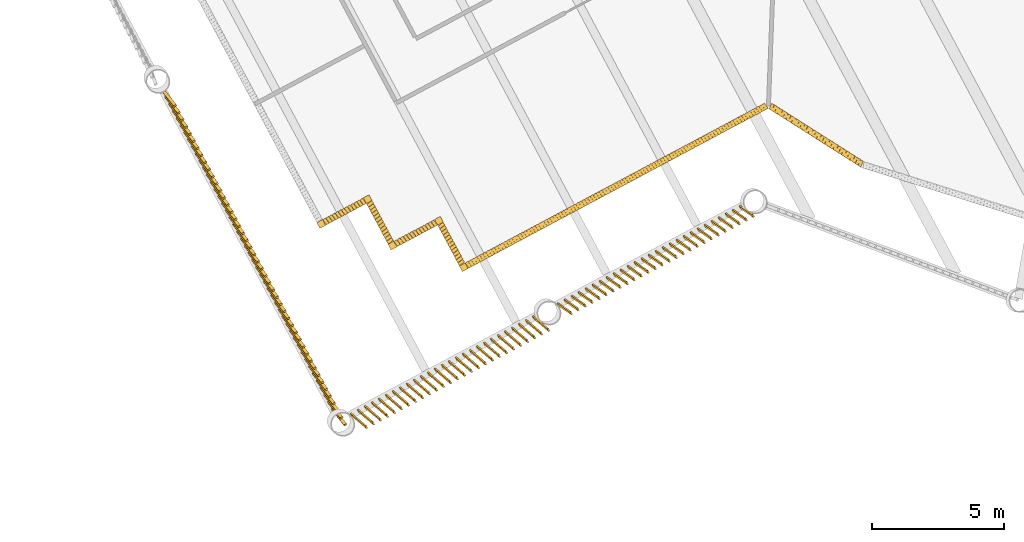
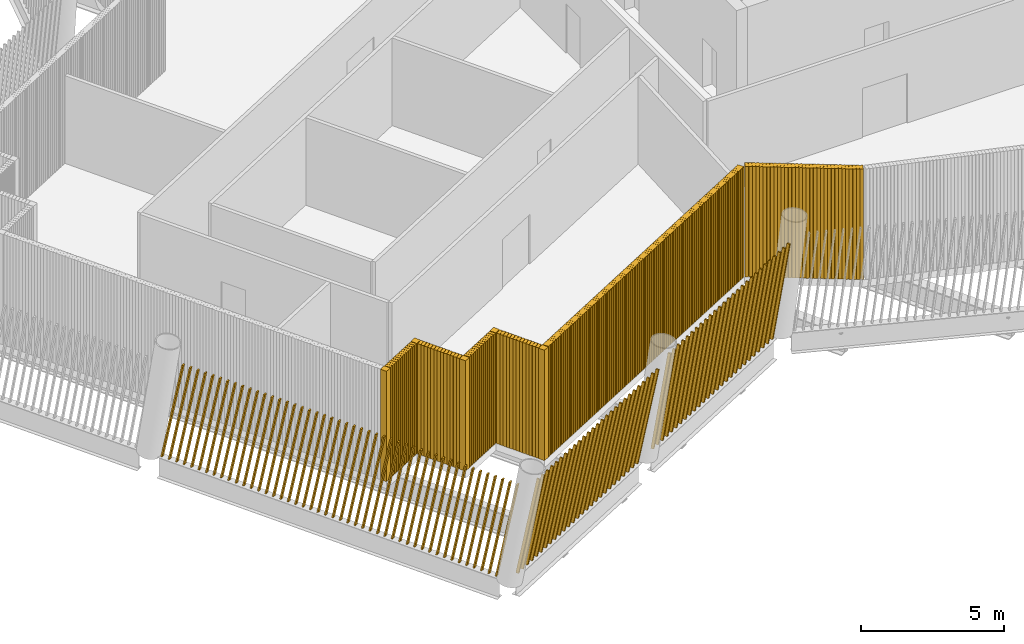
# One storey, part 9 of 21: 14 shading devices.
"""IFC4 building model written with IfcOpenShell, lengths in metres."""

from ifc_helpers import new_model, si_unit, direction, frame, frame_2d, origin, origin_2d, place, context, subcontext, project, spatial, rectangle, composite_profile, extrude, material, type_object, element, save


model = new_model("IFC4")

# Units and contexts
model_context = context("Model", 3, precision=1e-05, world=origin(), true_north=direction((0.0, 1.0)))
body_context = subcontext(model_context, "Body", "Model", "MODEL_VIEW")
ifc_project = project(units=[si_unit("LENGTHUNIT", "METRE"), si_unit("AREAUNIT", "SQUARE_METRE"), si_unit("VOLUMEUNIT", "CUBIC_METRE"), si_unit("PLANEANGLEUNIT", "RADIAN"), si_unit("MASSUNIT", "GRAM", prefix="KILO")], contexts=[model_context])

# Site, building, storey
site_placement = place(None, origin())
site = spatial("IfcSite", under=ifc_project, at=site_placement, CompositionType="ELEMENT")
building_placement = place(site_placement, origin())
building = spatial("IfcBuilding", under=site, at=building_placement, Name="Tarsis Ring Headquarters", CompositionType="ELEMENT")
storey_placement = place(building_placement, frame((0.0, 0.0, 398.60009765625)))
storey = spatial("IfcBuildingStorey", under=building, at=storey_placement, Name="L94", CompositionType="ELEMENT", Elevation=398.60009765625)

# Shading devices
ifc_material_1 = material(Name="Aluminium louvre", Category="aluminium")
shading_device_type_1 = type_object("IfcShadingDeviceType", Name="Plant louvre fin", PredefinedType="USERDEFINED", material=ifc_material_1)
shading_device_1_placement = place(storey_placement, frame((-25.952392578125, -27.304931640625, 0.0), z_axis=(0.0, 0.0, 1.0), x_axis=(0.882295150107, 0.470706040167, 0.0)))
element("IfcShadingDevice", 1, at=shading_device_1_placement, inside=storey, type_object=shading_device_type_1, Name="Louvre L94-01", ObjectType="Louvre", PredefinedType="USERDEFINED", context=body_context, shape_type="SweptSolid", body=[
    extrude(composite_profile([rectangle(XDim=0.1201171875, YDim=0.239990234375, at=frame_2d((0.076171875, 0.0), x_axis=(0.990268068742, 0.13917310096))), rectangle(XDim=0.1201171875, YDim=0.239990234375, at=frame_2d((0.201416015625, 0.0), x_axis=(0.990268068742, 0.13917310096))), rectangle(XDim=0.1201171875, YDim=0.239990234375, at=frame_2d((0.32666015625, 0.0), x_axis=(0.990268068742, 0.13917310096))), rectangle(XDim=0.1201171875, YDim=0.239990234375, at=frame_2d((0.45166015625, 0.0), x_axis=(0.990268068742, 0.13917310096))), rectangle(XDim=0.1201171875, YDim=0.239990234375, at=frame_2d((0.576904296875, 0.0), x_axis=(0.990268068742, 0.13917310096))), rectangle(XDim=0.1201171875, YDim=0.239990234375, at=frame_2d((0.7021484375, 0.0), x_axis=(0.990268068742, 0.13917310096))), rectangle(XDim=0.1201171875, YDim=0.239990234375, at=frame_2d((0.827392578125, 0.0), x_axis=(0.990268068742, 0.13917310096))), rectangle(XDim=0.1201171875, YDim=0.239990234375, at=frame_2d((0.95263671875, 0.0), x_axis=(0.990268068742, 0.13917310096))), rectangle(XDim=0.1201171875, YDim=0.239990234375, at=frame_2d((1.07763671875, 0.0), x_axis=(0.990268068742, 0.13917310096))), rectangle(XDim=0.1201171875, YDim=0.239990234375, at=frame_2d((1.202880859375, 0.0), x_axis=(0.990268068742, 0.13917310096))), rectangle(XDim=0.1201171875, YDim=0.239990234375, at=frame_2d((1.328125, 0.0), x_axis=(0.990268068742, 0.13917310096))), rectangle(XDim=0.1201171875, YDim=0.239990234375, at=frame_2d((1.453369140625, 0.0), x_axis=(0.990268068742, 0.13917310096))), rectangle(XDim=0.1201171875, YDim=0.239990234375, at=frame_2d((1.57861328125, 0.0), x_axis=(0.990268068742, 0.13917310096))), rectangle(XDim=0.1201171875, YDim=0.239990234375, at=frame_2d((1.70361328125, 0.0), x_axis=(0.990268068742, 0.13917310096))), rectangle(XDim=0.1201171875, YDim=0.239990234375, at=frame_2d((1.828857421875, 0.0), x_axis=(0.990268068742, 0.13917310096))), rectangle(XDim=0.1201171875, YDim=0.239990234375, at=frame_2d((1.9541015625, 0.0), x_axis=(0.990268068742, 0.13917310096))), rectangle(XDim=0.1201171875, YDim=0.239990234375, at=frame_2d((2.079345703125, 0.0), x_axis=(0.990268068742, 0.13917310096))), rectangle(XDim=0.1201171875, YDim=0.239990234375, at=frame_2d((2.20458984375, 0.0), x_axis=(0.990268068742, 0.13917310096))), rectangle(XDim=0.1201171875, YDim=0.239990234375, at=frame_2d((2.32958984375, 0.0), x_axis=(0.990268068742, 0.13917310096))), rectangle(XDim=0.1201171875, YDim=0.239990234375, at=frame_2d((2.454833984375, 0.0), x_axis=(0.990268068742, 0.13917310096))), rectangle(XDim=0.1201171875, YDim=0.239990234375, at=frame_2d((2.580078125, 0.0), x_axis=(0.990268068742, 0.13917310096))), rectangle(XDim=0.1201171875, YDim=0.239990234375, at=frame_2d((2.705322265625, 0.0), x_axis=(0.990268068742, 0.13917310096))), rectangle(XDim=0.1201171875, YDim=0.239990234375, at=frame_2d((2.830322265625, 0.0), x_axis=(0.990268068742, 0.13917310096))), rectangle(XDim=0.1201171875, YDim=0.239990234375, at=frame_2d((2.95556640625, 0.0), x_axis=(0.990268068742, 0.13917310096))), rectangle(XDim=0.1201171875, YDim=0.239990234375, at=frame_2d((3.080810546875, 0.0), x_axis=(0.990268068742, 0.13917310096))), rectangle(XDim=0.1201171875, YDim=0.239990234375, at=frame_2d((3.2060546875, 0.0), x_axis=(0.990268068742, 0.13917310096))), rectangle(XDim=0.1201171875, YDim=0.239990234375, at=frame_2d((3.331298828125, 0.0), x_axis=(0.990268068742, 0.13917310096))), rectangle(XDim=0.1201171875, YDim=0.239990234375, at=frame_2d((3.456298828125, 0.0), x_axis=(0.990268068742, 0.13917310096))), rectangle(XDim=0.1201171875, YDim=0.239990234375, at=frame_2d((3.58154296875, 0.0), x_axis=(0.990268068742, 0.13917310096))), rectangle(XDim=0.1201171875, YDim=0.239990234375, at=frame_2d((3.706787109375, 0.0), x_axis=(0.990268068742, 0.13917310096))), rectangle(XDim=0.1201171875, YDim=0.239990234375, at=frame_2d((3.83203125, 0.0), x_axis=(0.990268068742, 0.13917310096))), rectangle(XDim=0.1201171875, YDim=0.239990234375, at=frame_2d((3.957275390625, 0.0), x_axis=(0.990268068742, 0.13917310096))), rectangle(XDim=0.1201171875, YDim=0.239990234375, at=frame_2d((4.082275390625, 0.0), x_axis=(0.990268068742, 0.13917310096))), rectangle(XDim=0.1201171875, YDim=0.239990234375, at=frame_2d((4.20751953125, 0.0), x_axis=(0.990268068742, 0.13917310096))), rectangle(XDim=0.1201171875, YDim=0.239990234375, at=frame_2d((4.332763671875, 0.0), x_axis=(0.990268068742, 0.13917310096))), rectangle(XDim=0.1201171875, YDim=0.239990234375, at=frame_2d((4.4580078125, 0.0), x_axis=(0.990268068742, 0.13917310096))), rectangle(XDim=0.1201171875, YDim=0.239990234375, at=frame_2d((4.583251953125, 0.0), x_axis=(0.990268068742, 0.13917310096))), rectangle(XDim=0.1201171875, YDim=0.239990234375, at=frame_2d((4.708251953125, 0.0), x_axis=(0.990268068742, 0.13917310096))), rectangle(XDim=0.1201171875, YDim=0.239990234375, at=frame_2d((4.83349609375, 0.0), x_axis=(0.990268068742, 0.13917310096))), rectangle(XDim=0.1201171875, YDim=0.239990234375, at=frame_2d((4.958740234375, 0.0), x_axis=(0.990268068742, 0.13917310096))), rectangle(XDim=0.1201171875, YDim=0.239990234375, at=frame_2d((5.083984375, 0.0), x_axis=(0.990268068742, 0.13917310096))), rectangle(XDim=0.1201171875, YDim=0.239990234375, at=frame_2d((5.209228515625, 0.0), x_axis=(0.990268068742, 0.13917310096))), rectangle(XDim=0.1201171875, YDim=0.239990234375, at=frame_2d((5.334228515625, 0.0), x_axis=(0.990268068742, 0.13917310096))), rectangle(XDim=0.1201171875, YDim=0.239990234375, at=frame_2d((5.45947265625, 0.0), x_axis=(0.990268068742, 0.13917310096))), rectangle(XDim=0.1201171875, YDim=0.239990234375, at=frame_2d((5.584716796875, 0.0), x_axis=(0.990268068742, 0.13917310096))), rectangle(XDim=0.1201171875, YDim=0.239990234375, at=frame_2d((5.7099609375, 0.0), x_axis=(0.990268068742, 0.13917310096))), rectangle(XDim=0.1201171875, YDim=0.239990234375, at=frame_2d((5.835205078125, 0.0), x_axis=(0.990268068742, 0.13917310096))), rectangle(XDim=0.1201171875, YDim=0.239990234375, at=frame_2d((5.960205078125, 0.0), x_axis=(0.990268068742, 0.13917310096))), rectangle(XDim=0.1201171875, YDim=0.239990234375, at=frame_2d((6.08544921875, 0.0), x_axis=(0.990268068742, 0.13917310096))), rectangle(XDim=0.1201171875, YDim=0.239990234375, at=frame_2d((6.210693359375, 0.0), x_axis=(0.990268068742, 0.13917310096))), rectangle(XDim=0.1201171875, YDim=0.239990234375, at=frame_2d((6.3359375, 0.0), x_axis=(0.990268068742, 0.13917310096))), rectangle(XDim=0.1201171875, YDim=0.239990234375, at=frame_2d((6.4609375, 0.0), x_axis=(0.990268068742, 0.13917310096))), rectangle(XDim=0.1201171875, YDim=0.239990234375, at=frame_2d((6.586181640625, 0.0), x_axis=(0.990268068742, 0.13917310096))), rectangle(XDim=0.1201171875, YDim=0.239990234375, at=frame_2d((6.71142578125, 0.0), x_axis=(0.990268068742, 0.13917310096))), rectangle(XDim=0.1201171875, YDim=0.239990234375, at=frame_2d((6.836669921875, 0.0), x_axis=(0.990268068742, 0.13917310096))), rectangle(XDim=0.1201171875, YDim=0.239990234375, at=frame_2d((6.9619140625, 0.0), x_axis=(0.990268068742, 0.13917310096))), rectangle(XDim=0.1201171875, YDim=0.239990234375, at=frame_2d((7.0869140625, 0.0), x_axis=(0.990268068742, 0.13917310096))), rectangle(XDim=0.1201171875, YDim=0.239990234375, at=frame_2d((7.212158203125, 0.0), x_axis=(0.990268068742, 0.13917310096))), rectangle(XDim=0.1201171875, YDim=0.239990234375, at=frame_2d((7.33740234375, 0.0), x_axis=(0.990268068742, 0.13917310096))), rectangle(XDim=0.1201171875, YDim=0.239990234375, at=frame_2d((7.462646484375, 0.0), x_axis=(0.990268068742, 0.13917310096))), rectangle(XDim=0.1201171875, YDim=0.239990234375, at=frame_2d((7.587890625, 0.0), x_axis=(0.990268068742, 0.13917310096))), rectangle(XDim=0.1201171875, YDim=0.239990234375, at=frame_2d((7.712890625, 0.0), x_axis=(0.990268068742, 0.13917310096))), rectangle(XDim=0.1201171875, YDim=0.239990234375, at=frame_2d((7.838134765625, 0.0), x_axis=(0.990268068742, 0.13917310096))), rectangle(XDim=0.1201171875, YDim=0.239990234375, at=frame_2d((7.96337890625, 0.0), x_axis=(0.990268068742, 0.13917310096))), rectangle(XDim=0.1201171875, YDim=0.239990234375, at=frame_2d((8.088623046875, 0.0), x_axis=(0.990268068742, 0.13917310096))), rectangle(XDim=0.1201171875, YDim=0.239990234375, at=frame_2d((8.2138671875, 0.0), x_axis=(0.990268068742, 0.13917310096))), rectangle(XDim=0.1201171875, YDim=0.239990234375, at=frame_2d((8.3388671875, 0.0), x_axis=(0.990268068742, 0.13917310096))), rectangle(XDim=0.1201171875, YDim=0.239990234375, at=frame_2d((8.464111328125, 0.0), x_axis=(0.990268068742, 0.13917310096))), rectangle(XDim=0.1201171875, YDim=0.239990234375, at=frame_2d((8.58935546875, 0.0), x_axis=(0.990268068742, 0.13917310096))), rectangle(XDim=0.1201171875, YDim=0.239990234375, at=frame_2d((8.714599609375, 0.0), x_axis=(0.990268068742, 0.13917310096))), rectangle(XDim=0.1201171875, YDim=0.239990234375, at=frame_2d((8.83984375, 0.0), x_axis=(0.990268068742, 0.13917310096))), rectangle(XDim=0.1201171875, YDim=0.239990234375, at=frame_2d((8.96484375, 0.0), x_axis=(0.990268068742, 0.13917310096))), rectangle(XDim=0.1201171875, YDim=0.239990234375, at=frame_2d((9.090087890625, 0.0), x_axis=(0.990268068742, 0.13917310096))), rectangle(XDim=0.1201171875, YDim=0.239990234375, at=frame_2d((9.21533203125, 0.0), x_axis=(0.990268068742, 0.13917310096))), rectangle(XDim=0.1201171875, YDim=0.239990234375, at=frame_2d((9.340576171875, 0.0), x_axis=(0.990268068742, 0.13917310096))), rectangle(XDim=0.1201171875, YDim=0.239990234375, at=frame_2d((9.4658203125, 0.0), x_axis=(0.990268068742, 0.13917310096))), rectangle(XDim=0.1201171875, YDim=0.239990234375, at=frame_2d((9.5908203125, 0.0), x_axis=(0.990268068742, 0.13917310096))), rectangle(XDim=0.1201171875, YDim=0.239990234375, at=frame_2d((9.716064453125, 0.0), x_axis=(0.990268068742, 0.13917310096))), rectangle(XDim=0.1201171875, YDim=0.239990234375, at=frame_2d((9.84130859375, 0.0), x_axis=(0.990268068742, 0.13917310096))), rectangle(XDim=0.1201171875, YDim=0.239990234375, at=frame_2d((9.966552734375, 0.0), x_axis=(0.990268068742, 0.13917310096))), rectangle(XDim=0.1201171875, YDim=0.239990234375, at=frame_2d((10.091796875, 0.0), x_axis=(0.990268068742, 0.13917310096))), rectangle(XDim=0.1201171875, YDim=0.239990234375, at=frame_2d((10.216796875, 0.0), x_axis=(0.990268068742, 0.13917310096))), rectangle(XDim=0.1201171875, YDim=0.239990234375, at=frame_2d((10.342041015625, 0.0), x_axis=(0.990268068742, 0.13917310096))), rectangle(XDim=0.1201171875, YDim=0.239990234375, at=frame_2d((10.46728515625, 0.0), x_axis=(0.990268068742, 0.13917310096))), rectangle(XDim=0.1201171875, YDim=0.239990234375, at=frame_2d((10.592529296875, 0.0), x_axis=(0.990268068742, 0.13917310096))), rectangle(XDim=0.1201171875, YDim=0.239990234375, at=frame_2d((10.717529296875, 0.0), x_axis=(0.990268068742, 0.13917310096))), rectangle(XDim=0.1201171875, YDim=0.239990234375, at=frame_2d((10.8427734375, 0.0), x_axis=(0.990268068742, 0.13917310096))), rectangle(XDim=0.1201171875, YDim=0.239990234375, at=frame_2d((10.968017578125, 0.0), x_axis=(0.990268068742, 0.13917310096))), rectangle(XDim=0.1201171875, YDim=0.239990234375, at=frame_2d((11.09326171875, 0.0), x_axis=(0.990268068742, 0.13917310096))), rectangle(XDim=0.1201171875, YDim=0.239990234375, at=frame_2d((11.218505859375, 0.0), x_axis=(0.990268068742, 0.13917310096))), rectangle(XDim=0.1201171875, YDim=0.239990234375, at=frame_2d((11.343505859375, 0.0), x_axis=(0.990268068742, 0.13917310096))), rectangle(XDim=0.1201171875, YDim=0.239990234375, at=frame_2d((11.46875, 0.0), x_axis=(0.990268068742, 0.13917310096))), rectangle(XDim=0.1201171875, YDim=0.239990234375, at=frame_2d((11.593994140625, 0.0), x_axis=(0.990268068742, 0.13917310096))), rectangle(XDim=0.1201171875, YDim=0.239990234375, at=frame_2d((11.71923828125, 0.0), x_axis=(0.990268068742, 0.13917310096))), rectangle(XDim=0.1201171875, YDim=0.239990234375, at=frame_2d((11.844482421875, 0.0), x_axis=(0.990268068742, 0.13917310096))), rectangle(XDim=0.1201171875, YDim=0.239990234375, at=frame_2d((11.969482421875, 0.0), x_axis=(0.990268068742, 0.13917310096))), rectangle(XDim=0.1201171875, YDim=0.239990234375, at=frame_2d((12.0947265625, 0.0), x_axis=(0.990268068742, 0.13917310096))), rectangle(XDim=0.1201171875, YDim=0.239990234375, at=frame_2d((12.219970703125, 0.0), x_axis=(0.990268068742, 0.13917310096))), rectangle(XDim=0.1201171875, YDim=0.239990234375, at=frame_2d((12.34521484375, 0.0), x_axis=(0.990268068742, 0.13917310096))), rectangle(XDim=0.1201171875, YDim=0.239990234375, at=frame_2d((12.470458984375, 0.0), x_axis=(0.990268068742, 0.13917310096))), rectangle(XDim=0.1201171875, YDim=0.239990234375, at=frame_2d((12.595458984375, 0.0), x_axis=(0.990268068742, 0.13917310096))), rectangle(XDim=0.1201171875, YDim=0.239990234375, at=frame_2d((12.720703125, 0.0), x_axis=(0.990268068742, 0.13917310096))), rectangle(XDim=0.1201171875, YDim=0.239990234375, at=frame_2d((12.845947265625, 0.0), x_axis=(0.990268068742, 0.13917310096)))]), origin(), (0.0, 0.0, 1.0), 4.699951171875),
])
shading_device_2_placement = place(storey_placement, frame((-14.425537109375, -21.227294921875, 0.0), z_axis=(0.0, 0.0, 1.0), x_axis=(0.844148217746, -0.536085501204, 0.0)))
element("IfcShadingDevice", 2, at=shading_device_2_placement, inside=storey, type_object=shading_device_type_1, Name="Louvre L94-02", ObjectType="Louvre", PredefinedType="USERDEFINED", context=body_context, shape_type="SweptSolid", body=[
    extrude(composite_profile([rectangle(XDim=0.1201171875, YDim=0.239990234375, at=frame_2d((0.076171875, 0.0), x_axis=(0.990268068742, 0.13917310096))), rectangle(XDim=0.1201171875, YDim=0.239990234375, at=frame_2d((0.201416015625, 0.0), x_axis=(0.990268068742, 0.13917310096))), rectangle(XDim=0.1201171875, YDim=0.239990234375, at=frame_2d((0.326416015625, 0.0), x_axis=(0.990268068742, 0.13917310096))), rectangle(XDim=0.1201171875, YDim=0.239990234375, at=frame_2d((0.45166015625, 0.0), x_axis=(0.990268068742, 0.13917310096))), rectangle(XDim=0.1201171875, YDim=0.239990234375, at=frame_2d((0.576904296875, 0.0), x_axis=(0.990268068742, 0.13917310096))), rectangle(XDim=0.1201171875, YDim=0.239990234375, at=frame_2d((0.701904296875, 0.0), x_axis=(0.990268068742, 0.13917310096))), rectangle(XDim=0.1201171875, YDim=0.239990234375, at=frame_2d((0.8271484375, 0.0), x_axis=(0.990268068742, 0.13917310096))), rectangle(XDim=0.1201171875, YDim=0.239990234375, at=frame_2d((0.952392578125, 0.0), x_axis=(0.990268068742, 0.13917310096))), rectangle(XDim=0.1201171875, YDim=0.239990234375, at=frame_2d((1.077392578125, 0.0), x_axis=(0.990268068742, 0.13917310096))), rectangle(XDim=0.1201171875, YDim=0.239990234375, at=frame_2d((1.20263671875, 0.0), x_axis=(0.990268068742, 0.13917310096))), rectangle(XDim=0.1201171875, YDim=0.239990234375, at=frame_2d((1.327880859375, 0.0), x_axis=(0.990268068742, 0.13917310096))), rectangle(XDim=0.1201171875, YDim=0.239990234375, at=frame_2d((1.452880859375, 0.0), x_axis=(0.990268068742, 0.13917310096))), rectangle(XDim=0.1201171875, YDim=0.239990234375, at=frame_2d((1.578125, 0.0), x_axis=(0.990268068742, 0.13917310096))), rectangle(XDim=0.1201171875, YDim=0.239990234375, at=frame_2d((1.703369140625, 0.0), x_axis=(0.990268068742, 0.13917310096))), rectangle(XDim=0.1201171875, YDim=0.239990234375, at=frame_2d((1.828369140625, 0.0), x_axis=(0.990268068742, 0.13917310096))), rectangle(XDim=0.1201171875, YDim=0.239990234375, at=frame_2d((1.95361328125, 0.0), x_axis=(0.990268068742, 0.13917310096))), rectangle(XDim=0.1201171875, YDim=0.239990234375, at=frame_2d((2.07861328125, 0.0), x_axis=(0.990268068742, 0.13917310096))), rectangle(XDim=0.1201171875, YDim=0.239990234375, at=frame_2d((2.203857421875, 0.0), x_axis=(0.990268068742, 0.13917310096))), rectangle(XDim=0.1201171875, YDim=0.239990234375, at=frame_2d((2.3291015625, 0.0), x_axis=(0.990268068742, 0.13917310096))), rectangle(XDim=0.1201171875, YDim=0.239990234375, at=frame_2d((2.4541015625, 0.0), x_axis=(0.990268068742, 0.13917310096))), rectangle(XDim=0.1201171875, YDim=0.239990234375, at=frame_2d((2.579345703125, 0.0), x_axis=(0.990268068742, 0.13917310096))), rectangle(XDim=0.1201171875, YDim=0.239990234375, at=frame_2d((2.70458984375, 0.0), x_axis=(0.990268068742, 0.13917310096))), rectangle(XDim=0.1201171875, YDim=0.239990234375, at=frame_2d((2.82958984375, 0.0), x_axis=(0.990268068742, 0.13917310096))), rectangle(XDim=0.1201171875, YDim=0.239990234375, at=frame_2d((2.954833984375, 0.0), x_axis=(0.990268068742, 0.13917310096))), rectangle(XDim=0.1201171875, YDim=0.239990234375, at=frame_2d((3.080078125, 0.0), x_axis=(0.990268068742, 0.13917310096))), rectangle(XDim=0.1201171875, YDim=0.239990234375, at=frame_2d((3.205078125, 0.0), x_axis=(0.990268068742, 0.13917310096))), rectangle(XDim=0.1201171875, YDim=0.239990234375, at=frame_2d((3.330322265625, 0.0), x_axis=(0.990268068742, 0.13917310096))), rectangle(XDim=0.1201171875, YDim=0.239990234375, at=frame_2d((3.45556640625, 0.0), x_axis=(0.990268068742, 0.13917310096))), rectangle(XDim=0.1201171875, YDim=0.239990234375, at=frame_2d((3.58056640625, 0.0), x_axis=(0.990268068742, 0.13917310096))), rectangle(XDim=0.1201171875, YDim=0.239990234375, at=frame_2d((3.705810546875, 0.0), x_axis=(0.990268068742, 0.13917310096))), rectangle(XDim=0.1201171875, YDim=0.239990234375, at=frame_2d((3.8310546875, 0.0), x_axis=(0.990268068742, 0.13917310096))), rectangle(XDim=0.1201171875, YDim=0.239990234375, at=frame_2d((3.9560546875, 0.0), x_axis=(0.990268068742, 0.13917310096))), rectangle(XDim=0.1201171875, YDim=0.239990234375, at=frame_2d((4.081298828125, 0.0), x_axis=(0.990268068742, 0.13917310096)))]), origin(), (0.0, 0.0, 1.0), 4.699951171875),
])
for number, where, z_axis, x_axis, name in (
    (3, (-31.3642578125, -25.658447265625, 0.0), (0.0, 0.0, 1.0), (0.882254464286, 0.470703125, 0.0), "Louvre L94-37"),
    (4, (-29.651123046875, -24.88623046875, 0.0), (0.0, 0.0, 1.0), (0.470703125, -0.882254464286, 0.0), "Louvre L94-38"),
    (5, (-28.658203125, -26.481689453125, 0.0), (0.0, 0.0, 1.0), (0.882254464286, 0.470703125, 0.0), "Louvre L94-39"),
    (6, (-26.945068359375, -25.70947265625, 0.0), (0.0, 0.0, 1.0), (0.470703125, -0.882254464286, 0.0), "Louvre L94-40"),
):
    element("IfcShadingDevice", number, at=place(storey_placement, frame(where, z_axis=z_axis, x_axis=x_axis)), inside=storey, type_object=shading_device_type_1, Name=name, ObjectType="Louvre", PredefinedType="USERDEFINED", context=body_context, shape_type="SweptSolid", body=[
        extrude(composite_profile([rectangle(XDim=0.1201171875, YDim=0.239990234375, at=frame_2d((0.078125, 0.0), x_axis=(0.987688340595, 0.15643446504))), rectangle(XDim=0.1201171875, YDim=0.239990234375, at=frame_2d((0.2109375, 0.0), x_axis=(0.987688340595, 0.15643446504))), rectangle(XDim=0.1201171875, YDim=0.239990234375, at=frame_2d((0.34375, 0.0), x_axis=(0.987688340595, 0.15643446504))), rectangle(XDim=0.1201171875, YDim=0.239990234375, at=frame_2d((0.4765625, 0.0), x_axis=(0.987688340595, 0.15643446504))), rectangle(XDim=0.1201171875, YDim=0.239990234375, at=frame_2d((0.609375, 0.0), x_axis=(0.987688340595, 0.15643446504))), rectangle(XDim=0.1201171875, YDim=0.239990234375, at=frame_2d((0.7421875, 0.0), x_axis=(0.987688340595, 0.15643446504))), rectangle(XDim=0.1201171875, YDim=0.239990234375, at=frame_2d((0.875, 0.0), x_axis=(0.987688340595, 0.15643446504))), rectangle(XDim=0.1201171875, YDim=0.239990234375, at=frame_2d((1.0078125, 0.0), x_axis=(0.987688340595, 0.15643446504))), rectangle(XDim=0.1201171875, YDim=0.239990234375, at=frame_2d((1.140625, 0.0), x_axis=(0.987688340595, 0.15643446504))), rectangle(XDim=0.1201171875, YDim=0.239990234375, at=frame_2d((1.2734375, 0.0), x_axis=(0.987688340595, 0.15643446504))), rectangle(XDim=0.1201171875, YDim=0.239990234375, at=frame_2d((1.40625, 0.0), x_axis=(0.987688340595, 0.15643446504))), rectangle(XDim=0.1201171875, YDim=0.239990234375, at=frame_2d((1.5390625, 0.0), x_axis=(0.987688340595, 0.15643446504))), rectangle(XDim=0.1201171875, YDim=0.239990234375, at=frame_2d((1.671875, 0.0), x_axis=(0.987688340595, 0.15643446504)))]), origin(), (0.0, 0.0, 1.0), 4.699951171875),
    ])
ifc_material_2 = material(Name="Terracotta baguette", Category="masonry")
shading_device_type_2 = type_object("IfcShadingDeviceType", Name="Terracotta baguette screen", PredefinedType="USERDEFINED", material=ifc_material_2)
shading_device_3_placement = place(storey_placement, frame((-37.526611328125, -20.587158203125, 0.0), z_axis=(0.0, 0.0, 1.0), x_axis=(0.470694383016, -0.882299867315, 0.0)))
element("IfcShadingDevice", 7, at=shading_device_3_placement, inside=storey, type_object=shading_device_type_2, Name="Baguette screen L94-16", ObjectType="Terracotta baguette screen", PredefinedType="USERDEFINED", context=body_context, shape_type="SweptSolid", body=[
    extrude(composite_profile([rectangle(XDim=0.06005859375, YDim=0.1201171875, at=frame_2d((0.030029296875, 0.0))), rectangle(XDim=0.06005859375, YDim=0.1201171875, at=frame_2d((0.33544921875, 0.0))), rectangle(XDim=0.06005859375, YDim=0.1201171875, at=frame_2d((0.640625, 0.0))), rectangle(XDim=0.06005859375, YDim=0.1201171875, at=frame_2d((0.946044921875, 0.0))), rectangle(XDim=0.06005859375, YDim=0.1201171875, at=frame_2d((1.25146484375, 0.0))), rectangle(XDim=0.06005859375, YDim=0.1201171875, at=frame_2d((1.556640625, 0.0))), rectangle(XDim=0.06005859375, YDim=0.1201171875, at=frame_2d((1.862060546875, 0.0))), rectangle(XDim=0.06005859375, YDim=0.1201171875, at=frame_2d((2.16748046875, 0.0))), rectangle(XDim=0.06005859375, YDim=0.1201171875, at=frame_2d((2.47265625, 0.0))), rectangle(XDim=0.06005859375, YDim=0.1201171875, at=frame_2d((2.778076171875, 0.0))), rectangle(XDim=0.06005859375, YDim=0.1201171875, at=frame_2d((3.08349609375, 0.0))), rectangle(XDim=0.06005859375, YDim=0.1201171875, at=frame_2d((3.388671875, 0.0))), rectangle(XDim=0.06005859375, YDim=0.1201171875, at=frame_2d((3.694091796875, 0.0))), rectangle(XDim=0.06005859375, YDim=0.1201171875, at=frame_2d((3.99951171875, 0.0))), rectangle(XDim=0.06005859375, YDim=0.1201171875, at=frame_2d((4.3046875, 0.0))), rectangle(XDim=0.06005859375, YDim=0.1201171875, at=frame_2d((4.610107421875, 0.0))), rectangle(XDim=0.06005859375, YDim=0.1201171875, at=frame_2d((4.91552734375, 0.0))), rectangle(XDim=0.06005859375, YDim=0.1201171875, at=frame_2d((5.220703125, 0.0))), rectangle(XDim=0.06005859375, YDim=0.1201171875, at=frame_2d((5.526123046875, 0.0))), rectangle(XDim=0.06005859375, YDim=0.1201171875, at=frame_2d((5.83154296875, 0.0))), rectangle(XDim=0.06005859375, YDim=0.1201171875, at=frame_2d((6.13671875, 0.0))), rectangle(XDim=0.06005859375, YDim=0.1201171875, at=frame_2d((6.442138671875, 0.0))), rectangle(XDim=0.06005859375, YDim=0.1201171875, at=frame_2d((6.74755859375, 0.0))), rectangle(XDim=0.06005859375, YDim=0.1201171875, at=frame_2d((7.052734375, 0.0))), rectangle(XDim=0.06005859375, YDim=0.1201171875, at=frame_2d((7.358154296875, 0.0))), rectangle(XDim=0.06005859375, YDim=0.1201171875, at=frame_2d((7.66357421875, 0.0))), rectangle(XDim=0.06005859375, YDim=0.1201171875, at=frame_2d((7.96875, 0.0))), rectangle(XDim=0.06005859375, YDim=0.1201171875, at=frame_2d((8.274169921875, 0.0))), rectangle(XDim=0.06005859375, YDim=0.1201171875, at=frame_2d((8.57958984375, 0.0))), rectangle(XDim=0.06005859375, YDim=0.1201171875, at=frame_2d((8.884765625, 0.0))), rectangle(XDim=0.06005859375, YDim=0.1201171875, at=frame_2d((9.190185546875, 0.0))), rectangle(XDim=0.06005859375, YDim=0.1201171875, at=frame_2d((9.49560546875, 0.0))), rectangle(XDim=0.06005859375, YDim=0.1201171875, at=frame_2d((9.80078125, 0.0))), rectangle(XDim=0.06005859375, YDim=0.1201171875, at=frame_2d((10.106201171875, 0.0))), rectangle(XDim=0.06005859375, YDim=0.1201171875, at=frame_2d((10.41162109375, 0.0))), rectangle(XDim=0.06005859375, YDim=0.1201171875, at=frame_2d((10.716796875, 0.0))), rectangle(XDim=0.06005859375, YDim=0.1201171875, at=frame_2d((11.022216796875, 0.0))), rectangle(XDim=0.06005859375, YDim=0.1201171875, at=frame_2d((11.32763671875, 0.0))), rectangle(XDim=0.06005859375, YDim=0.1201171875, at=frame_2d((11.6328125, 0.0))), rectangle(XDim=0.06005859375, YDim=0.1201171875, at=frame_2d((11.938232421875, 0.0))), rectangle(XDim=0.06005859375, YDim=0.1201171875, at=frame_2d((12.24365234375, 0.0))), rectangle(XDim=0.06005859375, YDim=0.1201171875, at=frame_2d((12.548828125, 0.0))), rectangle(XDim=0.06005859375, YDim=0.1201171875, at=frame_2d((12.854248046875, 0.0))), rectangle(XDim=0.06005859375, YDim=0.1201171875, at=frame_2d((13.15966796875, 0.0))), rectangle(XDim=0.06005859375, YDim=0.1201171875, at=frame_2d((13.46484375, 0.0))), rectangle(XDim=0.06005859375, YDim=0.1201171875, at=frame_2d((13.770263671875, 0.0)))]), origin(), (0.185960191972, 0.033895289692, 0.981972462108), 4.1708984375),
])
shading_device_4_placement = place(storey_placement, frame((-30.3544921875, -32.96875, 0.0), z_axis=(0.0, 0.0, 1.0), x_axis=(0.882291151755, 0.470711814137, 0.0)))
element("IfcShadingDevice", 8, at=shading_device_4_placement, inside=storey, type_object=shading_device_type_2, Name="Baguette screen L94-17", ObjectType="Terracotta baguette screen", PredefinedType="USERDEFINED", context=body_context, shape_type="SweptSolid", body=[
    extrude(composite_profile([rectangle(XDim=0.06005859375, YDim=0.1201171875, at=frame_2d((0.030029296875, 0.0))), rectangle(XDim=0.06005859375, YDim=0.1201171875, at=frame_2d((0.33154296875, 0.0))), rectangle(XDim=0.06005859375, YDim=0.1201171875, at=frame_2d((0.63330078125, 0.0))), rectangle(XDim=0.06005859375, YDim=0.1201171875, at=frame_2d((0.934814453125, 0.0))), rectangle(XDim=0.06005859375, YDim=0.1201171875, at=frame_2d((1.236572265625, 0.0))), rectangle(XDim=0.06005859375, YDim=0.1201171875, at=frame_2d((1.5380859375, 0.0))), rectangle(XDim=0.06005859375, YDim=0.1201171875, at=frame_2d((1.83984375, 0.0))), rectangle(XDim=0.06005859375, YDim=0.1201171875, at=frame_2d((2.141357421875, 0.0))), rectangle(XDim=0.06005859375, YDim=0.1201171875, at=frame_2d((2.443115234375, 0.0))), rectangle(XDim=0.06005859375, YDim=0.1201171875, at=frame_2d((2.74462890625, 0.0))), rectangle(XDim=0.06005859375, YDim=0.1201171875, at=frame_2d((3.04638671875, 0.0))), rectangle(XDim=0.06005859375, YDim=0.1201171875, at=frame_2d((3.347900390625, 0.0))), rectangle(XDim=0.06005859375, YDim=0.1201171875, at=frame_2d((3.649658203125, 0.0))), rectangle(XDim=0.06005859375, YDim=0.1201171875, at=frame_2d((3.951171875, 0.0))), rectangle(XDim=0.06005859375, YDim=0.1201171875, at=frame_2d((4.252685546875, 0.0))), rectangle(XDim=0.06005859375, YDim=0.1201171875, at=frame_2d((4.554443359375, 0.0))), rectangle(XDim=0.06005859375, YDim=0.1201171875, at=frame_2d((4.85595703125, 0.0))), rectangle(XDim=0.06005859375, YDim=0.1201171875, at=frame_2d((5.15771484375, 0.0))), rectangle(XDim=0.06005859375, YDim=0.1201171875, at=frame_2d((5.459228515625, 0.0))), rectangle(XDim=0.06005859375, YDim=0.1201171875, at=frame_2d((5.760986328125, 0.0))), rectangle(XDim=0.06005859375, YDim=0.1201171875, at=frame_2d((6.0625, 0.0))), rectangle(XDim=0.06005859375, YDim=0.1201171875, at=frame_2d((6.3642578125, 0.0))), rectangle(XDim=0.06005859375, YDim=0.1201171875, at=frame_2d((6.665771484375, 0.0))), rectangle(XDim=0.06005859375, YDim=0.1201171875, at=frame_2d((6.967529296875, 0.0))), rectangle(XDim=0.06005859375, YDim=0.1201171875, at=frame_2d((7.26904296875, 0.0))), rectangle(XDim=0.06005859375, YDim=0.1201171875, at=frame_2d((7.57080078125, 0.0))), rectangle(XDim=0.06005859375, YDim=0.1201171875, at=frame_2d((7.872314453125, 0.0)))]), origin(), (0.066041963611, -0.166610011938, 0.983808702424), 4.1630859375),
])
shading_device_5_placement = place(storey_placement, frame((-22.500244140625, -28.7783203125, 0.0), z_axis=(0.0, 0.0, 1.0), x_axis=(0.882291151755, 0.470680919427, 0.0)))
element("IfcShadingDevice", 9, at=shading_device_5_placement, inside=storey, type_object=shading_device_type_2, Name="Baguette screen L94-18", ObjectType="Terracotta baguette screen", PredefinedType="USERDEFINED", context=body_context, shape_type="SweptSolid", body=[
    extrude(composite_profile([rectangle(XDim=0.06005859375, YDim=0.1201171875, at=frame_2d((0.030029296875, 0.0))), rectangle(XDim=0.06005859375, YDim=0.1201171875, at=frame_2d((0.33154296875, 0.0))), rectangle(XDim=0.06005859375, YDim=0.1201171875, at=frame_2d((0.63330078125, 0.0))), rectangle(XDim=0.06005859375, YDim=0.1201171875, at=frame_2d((0.934814453125, 0.0))), rectangle(XDim=0.06005859375, YDim=0.1201171875, at=frame_2d((1.236572265625, 0.0))), rectangle(XDim=0.06005859375, YDim=0.1201171875, at=frame_2d((1.5380859375, 0.0))), rectangle(XDim=0.06005859375, YDim=0.1201171875, at=frame_2d((1.83984375, 0.0))), rectangle(XDim=0.06005859375, YDim=0.1201171875, at=frame_2d((2.141357421875, 0.0))), rectangle(XDim=0.06005859375, YDim=0.1201171875, at=frame_2d((2.443115234375, 0.0))), rectangle(XDim=0.06005859375, YDim=0.1201171875, at=frame_2d((2.74462890625, 0.0))), rectangle(XDim=0.06005859375, YDim=0.1201171875, at=frame_2d((3.04638671875, 0.0))), rectangle(XDim=0.06005859375, YDim=0.1201171875, at=frame_2d((3.347900390625, 0.0))), rectangle(XDim=0.06005859375, YDim=0.1201171875, at=frame_2d((3.649658203125, 0.0))), rectangle(XDim=0.06005859375, YDim=0.1201171875, at=frame_2d((3.951171875, 0.0))), rectangle(XDim=0.06005859375, YDim=0.1201171875, at=frame_2d((4.252685546875, 0.0))), rectangle(XDim=0.06005859375, YDim=0.1201171875, at=frame_2d((4.554443359375, 0.0))), rectangle(XDim=0.06005859375, YDim=0.1201171875, at=frame_2d((4.85595703125, 0.0))), rectangle(XDim=0.06005859375, YDim=0.1201171875, at=frame_2d((5.15771484375, 0.0))), rectangle(XDim=0.06005859375, YDim=0.1201171875, at=frame_2d((5.459228515625, 0.0))), rectangle(XDim=0.06005859375, YDim=0.1201171875, at=frame_2d((5.760986328125, 0.0))), rectangle(XDim=0.06005859375, YDim=0.1201171875, at=frame_2d((6.0625, 0.0))), rectangle(XDim=0.06005859375, YDim=0.1201171875, at=frame_2d((6.3642578125, 0.0))), rectangle(XDim=0.06005859375, YDim=0.1201171875, at=frame_2d((6.665771484375, 0.0))), rectangle(XDim=0.06005859375, YDim=0.1201171875, at=frame_2d((6.967529296875, 0.0))), rectangle(XDim=0.06005859375, YDim=0.1201171875, at=frame_2d((7.26904296875, 0.0))), rectangle(XDim=0.06005859375, YDim=0.1201171875, at=frame_2d((7.57080078125, 0.0))), rectangle(XDim=0.06005859375, YDim=0.1201171875, at=frame_2d((7.872314453125, 0.0)))]), origin(), (0.066072439659, -0.128533366803, 0.989501695974), 4.13916015625),
])
shading_device_type_3 = type_object("IfcShadingDeviceType", Name="Terracotta corner baguette 250x250", PredefinedType="USERDEFINED", material=ifc_material_2)
for number, where, z_axis, x_axis, name in (
    (10, (-26.0625, -27.36376953125, 0.0), (0.0, 0.0, 1.0), (0.470704086154, -0.882291144282, 0.0), "Corner baguette L94-01"),
    (11, (-31.474609375, -25.71728515625, 0.0), (0.0, 0.0, 1.0), (0.470703978362, -0.882291201789, 0.0), "Corner baguette L94-37"),
    (12, (-29.7099609375, -24.77587890625, 0.0), (0.0, 0.0, 1.0), (0.882291144282, 0.470704086154, 0.0), "Corner baguette L94-38"),
    (13, (-28.7685546875, -26.54052734375, 0.0), (0.0, 0.0, 1.0), (0.47070387057, -0.882291259296, 0.0), "Corner baguette L94-39"),
    (14, (-27.00390625, -25.59912109375, 0.0), (0.0, 0.0, 1.0), (0.882291144282, 0.470704086154, 0.0), "Corner baguette L94-40"),
):
    element("IfcShadingDevice", number, at=place(storey_placement, frame(where, z_axis=z_axis, x_axis=x_axis)), inside=storey, type_object=shading_device_type_3, Name=name, ObjectType="Terracotta corner baguette", PredefinedType="USERDEFINED", context=body_context, shape_type="SweptSolid", body=[
        extrude(rectangle(XDim=0.25, YDim=0.25, at=origin_2d()), origin(), (0.0, 0.0, 1.0), 4.699951171875),
    ])

save(model, "model.ifc")
